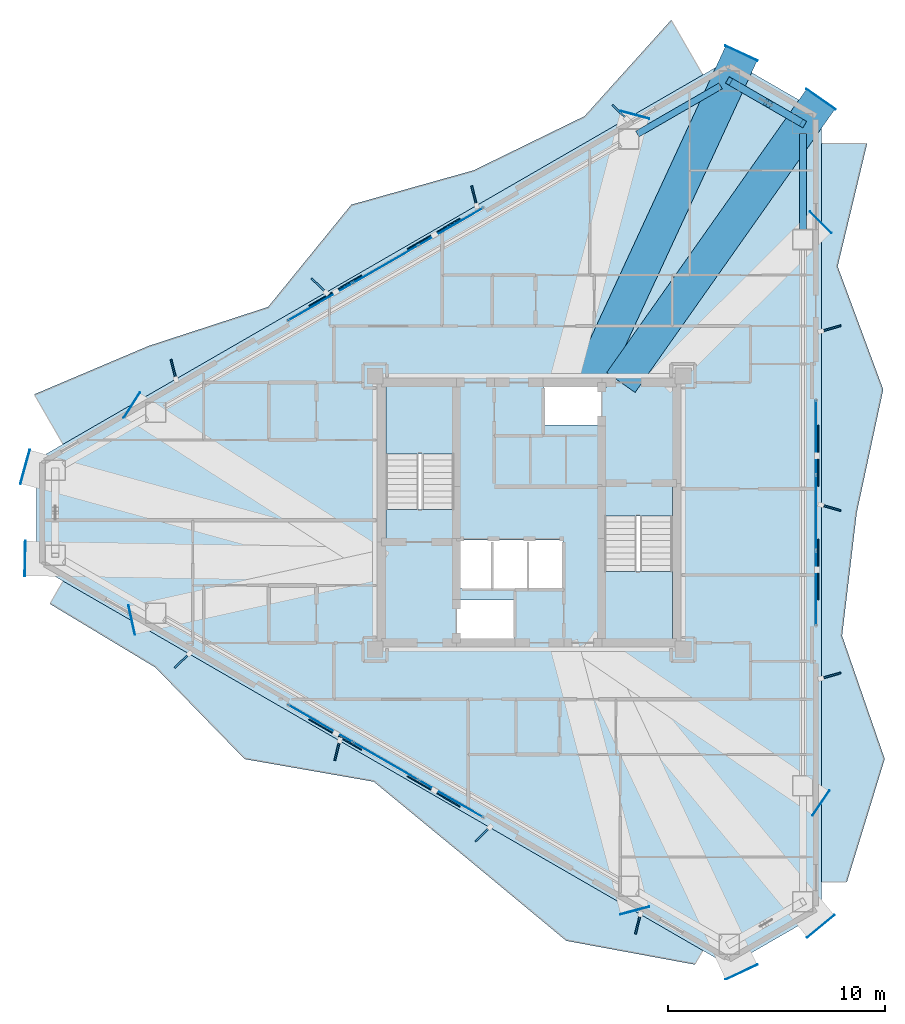
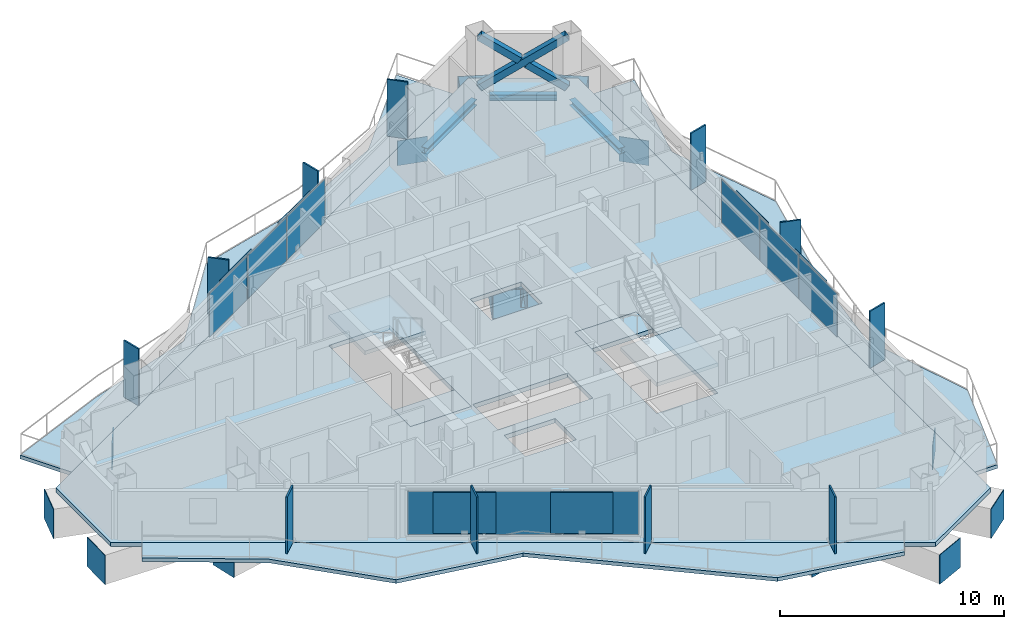
# One storey, part 13 of 21: 38 plates, 8 slabs, 5 beams, 3 members, 5 elements without a shape of their own.
"""IFC4 building model written with IfcOpenShell, lengths in metres."""

from ifc_helpers import new_model, si_unit, direction, frame, origin, origin_2d, place, context, subcontext, project, spatial, polyline, rectangle, hollow_rectangle, i_section, outline, extrude, material, layer, layer_set, material_profile, profile_set, type_object, element, aggregate, save


model = new_model("IFC4")

# Units and contexts
model_context = context("Model", 3, precision=1e-05, world=origin(), true_north=direction((0.0, 1.0)))
body_context = subcontext(model_context, "Body", "Model", "MODEL_VIEW")
ifc_project = project(units=[si_unit("LENGTHUNIT", "METRE"), si_unit("AREAUNIT", "SQUARE_METRE"), si_unit("VOLUMEUNIT", "CUBIC_METRE"), si_unit("PLANEANGLEUNIT", "RADIAN"), si_unit("MASSUNIT", "GRAM", prefix="KILO")], contexts=[model_context])

# Site, building, storey
site_placement = place(None, origin())
site = spatial("IfcSite", under=ifc_project, at=site_placement, CompositionType="ELEMENT")
building_placement = place(site_placement, origin())
building = spatial("IfcBuilding", under=site, at=building_placement, Name="Mersakhor Tower and Convention Hall", CompositionType="ELEMENT")
storey_placement = place(building_placement, frame((0.0, 0.0, 121.199951171875)))
storey = spatial("IfcBuildingStorey", under=building, at=storey_placement, Name="L33", CompositionType="ELEMENT", Elevation=121.199951171875)

# Beams
ifc_material_1 = material(Name="Steel S355", Category="steel")
ifc_material_profile_1 = material_profile(ifc_material_1, i_section(OverallWidth=0.30908203125, OverallDepth=0.320556640625, WebThickness=0.013916015625, FlangeThickness=0.021728515625, at=origin_2d()), Name="UC 305x305x137")
ifc_profile_set_1 = profile_set([ifc_material_profile_1], Name="Steel S355")
beam_type_1 = type_object("IfcBeamType", Name="BM-SPD-UC305", PredefinedType="SPANDREL", material=ifc_profile_set_1)
beam_1_placement = place(storey_placement, frame((33.986572265625, 44.200439453125, -0.400146484375), z_axis=(0.866038875684, 0.49997666526, 0.0), x_axis=(-0.49997666526, 0.866038875684, 0.0)))
element("IfcBeam", 1, at=beam_1_placement, inside=storey, type_object=beam_type_1, Name="L33 Perimeter Spandrel Beam SPB-03", PredefinedType="SPANDREL", context=body_context, shape_type="SweptSolid", body=[
    extrude(i_section(OverallWidth=0.30908203125, OverallDepth=0.320556640625, WebThickness=0.013916015625, FlangeThickness=0.021728515625, at=origin_2d()), origin(), (0.0, 0.0, 1.0), 4.433837890625),
])
beam_2_placement = place(storey_placement, frame((38.614501953125, 46.417236328125, -0.400146484375), z_axis=(0.86604667077, -0.499963162692, 0.0), x_axis=(0.499963162692, 0.86604667077, 0.0)))
element("IfcBeam", 2, at=beam_2_placement, inside=storey, type_object=beam_type_1, Name="L33 Perimeter Spandrel Beam SPB-04", PredefinedType="SPANDREL", context=body_context, shape_type="SweptSolid", body=[
    extrude(i_section(OverallWidth=0.30908203125, OverallDepth=0.320556640625, WebThickness=0.013916015625, FlangeThickness=0.021728515625, at=origin_2d()), origin(), (0.0, 0.0, 1.0), 3.014404296875),
])
beam_3_placement = place(storey_placement, frame((41.619140625, 44.2275390625, -0.400146484375), z_axis=(0.0, -1.0, 0.0), x_axis=(1.0, 0.0, 0.0)))
element("IfcBeam", 3, at=beam_3_placement, inside=storey, type_object=beam_type_1, Name="L33 Perimeter Spandrel Beam SPB-05", PredefinedType="SPANDREL", context=body_context, shape_type="SweptSolid", body=[
    extrude(i_section(OverallWidth=0.30908203125, OverallDepth=0.320556640625, WebThickness=0.013916015625, FlangeThickness=0.021728515625, at=origin_2d()), origin(), (0.0, 0.0, 1.0), 4.433837890625),
])
ifc_material_2 = material(Name="Steel S460", Category="steel")
ifc_material_profile_2 = material_profile(ifc_material_2, hollow_rectangle(XDim=1.60009765625, YDim=1.60009765625, WallThickness=0.0400390625, at=origin_2d()), Name="SHS 1600x1600x40")
ifc_profile_set_2 = profile_set([ifc_material_profile_2], Name="Steel S460")
beam_type_2 = type_object("IfcBeamType", Name="BM-TR-BOX1600", PredefinedType="BEAM", material=ifc_profile_set_2)
beam_4_placement = place(storey_placement, frame((38.77880859375, 47.90869140625, -1.0400390625), z_axis=(-0.41952909182, -0.907741891243, 0.0), x_axis=(0.907741891243, -0.41952909182, 0.0)))
element("IfcBeam", 4, at=beam_4_placement, inside=storey, type_object=beam_type_2, Name="L33 Taper Step Transfer Girder STG-04", PredefinedType="BEAM", context=body_context, shape_type="SweptSolid", body=[
    extrude(hollow_rectangle(XDim=1.60009765625, YDim=1.60009765625, WallThickness=0.0400390625, at=origin_2d()), origin(), (0.0, 0.0, 1.0), 16.699462890625),
])
beam_5_placement = place(storey_placement, frame((42.4345703125, 45.798095703125, -1.0400390625), z_axis=(-0.57636799081, -0.817190271093, 0.0), x_axis=(0.817190271093, -0.57636799081, 0.0)))
element("IfcBeam", 5, at=beam_5_placement, inside=storey, type_object=beam_type_2, Name="L33 Taper Step Transfer Girder STG-05", PredefinedType="BEAM", context=body_context, shape_type="SweptSolid", body=[
    extrude(hollow_rectangle(XDim=1.60009765625, YDim=1.60009765625, WallThickness=0.0400390625, at=origin_2d()), origin(), (0.0, 0.0, 1.0), 15.967041015625),
])

# Members
ifc_material_3 = material(Name="Steel S460", Category="steel")
ifc_material_profile_3 = material_profile(ifc_material_3, hollow_rectangle(XDim=0.35009765625, YDim=0.35009765625, WallThickness=0.02001953125, at=origin_2d()), Name="SHS 350x350x20")
ifc_profile_set_3 = profile_set([ifc_material_profile_3], Name="Steel S460")
member_type = type_object("IfcMemberType", Name="MB-BRC-SHS350", PredefinedType="BRACE", material=ifc_profile_set_3)
member_placement = place(storey_placement, frame((38.220458984375, 46.644775390625, 0.150146484375), z_axis=(0.70838533923, -0.408971551713, 0.575267312693), x_axis=(0.499986324622, 0.866033299124, 0.0)))
element("IfcMember", 6, at=member_placement, inside=storey, type_object=member_type, Name="L33 Chamfer Braced Frame Diagonal CB-1A", PredefinedType="BRACE", context=body_context, shape_type="SweptSolid", body=[
    extrude(hollow_rectangle(XDim=0.35009765625, YDim=0.35009765625, WallThickness=0.02001953125, at=origin_2d()), origin(), (0.0, 0.0, 1.0), 4.7978515625),
])
for number, where, z_axis, x_axis, name in (
    (7, (41.619140625, 44.6826171875, 0.150146484375), (-0.708409139881, 0.409012716899, 0.575208734242), (-0.500011469263, -0.866018781901, 0.0), "L33 Chamfer Braced Frame Diagonal CB-1B Lower Half"),
    (8, (39.782470703125, 45.742919921875, 1.6416015625), (-0.708364021879, 0.408986667212, 0.575282816143), (-0.500011469263, -0.866018781901, 0.0), "L33 Chamfer Braced Frame Diagonal CB-1B Upper Half"),
):
    element("IfcMember", number, at=place(storey_placement, frame(where, z_axis=z_axis, x_axis=x_axis)), inside=storey, type_object=member_type, Name=name, PredefinedType="BRACE", context=body_context, shape_type="SweptSolid", body=[
        extrude(hollow_rectangle(XDim=0.35009765625, YDim=0.35009765625, WallThickness=0.02001953125, at=origin_2d()), origin(), (0.0, 0.0, 1.0), 2.205078125),
    ])

# Curtain wall, plates
ifc_material_4 = material(Name="Dark solar low-E aluminium curtain wall", Category="aluminium")
ifc_layer_1 = layer(ifc_material_4, 0.169921875)
ifc_layer_set_1 = layer_set([ifc_layer_1], Name="Dark solar low-E aluminium curtain wall")
curtain_wall_type = type_object("IfcCurtainWallType", Name="CW-SYS-02", PredefinedType="USERDEFINED", material=ifc_layer_set_1)
curtain_wall_1_placement = place(storey_placement, origin())
curtain_wall_1 = element("IfcCurtainWall", 9, at=curtain_wall_1_placement, inside=storey, type_object=curtain_wall_type, Name="L33 Dark-Glass Curtain Wall F1-B2", ObjectType="CURTAIN WALL", PredefinedType="USERDEFINED")
ifc_material_5 = material(Name="Dark solar double glazing", Category="glass")
ifc_layer_2 = layer(ifc_material_5, 0.028076171875)
ifc_layer_set_2 = layer_set([ifc_layer_2], Name="Dark solar double glazing")
plate_type_1 = type_object("IfcPlateType", Name="CWP-GLZ-28", PredefinedType="CURTAIN_PANEL", material=ifc_layer_set_2)
plate_1_placement = place(storey_placement, frame((19.379638671875, 36.4599609375, 0.259765625), z_axis=(0.0, 0.0, 1.0), x_axis=(0.866030906807, 0.499990468363, 0.0)))
plate_1 = element("IfcPlate", 10, at=plate_1_placement, type_object=plate_type_1, Name="CW-02 panel 1.1", PredefinedType="CURTAIN_PANEL", context=body_context, shape_type="SweptSolid", body=[
    extrude(rectangle(XDim=3.3828125, YDim=0.028076171875, at=origin_2d()), origin(), (0.0, 0.0, 1.0), 2.360107421875),
])
plate_2_placement = place(storey_placement, frame((22.390380859375, 38.1982421875, 0.259765625), z_axis=(0.0, 0.0, 1.0), x_axis=(0.866030906807, 0.499990468363, 0.0)))
plate_2 = element("IfcPlate", 11, at=plate_2_placement, type_object=plate_type_1, Name="CW-02 panel 2.1", PredefinedType="CURTAIN_PANEL", context=body_context, shape_type="SweptSolid", body=[
    extrude(rectangle(XDim=3.42041015625, YDim=0.028076171875, at=origin_2d()), origin(), (0.0, 0.0, 1.0), 2.360107421875),
])
plate_3_placement = place(storey_placement, frame((25.401123046875, 39.9365234375, 0.259765625), z_axis=(0.0, 0.0, 1.0), x_axis=(0.866030906807, 0.499990468363, 0.0)))
plate_3 = element("IfcPlate", 12, at=plate_3_placement, type_object=plate_type_1, Name="CW-02 panel 3.1", PredefinedType="CURTAIN_PANEL", context=body_context, shape_type="SweptSolid", body=[
    extrude(rectangle(XDim=3.3828125, YDim=0.028076171875, at=origin_2d()), origin(), (0.0, 0.0, 1.0), 2.360107421875),
])
aggregate(curtain_wall_1, [plate_1, plate_2, plate_3])

curtain_wall_2_placement = place(storey_placement, origin())
curtain_wall_2 = element("IfcCurtainWall", 13, at=curtain_wall_2_placement, inside=storey, type_object=curtain_wall_type, Name="L33 Dark-Glass Curtain Wall F2-B2", ObjectType="CURTAIN WALL", PredefinedType="USERDEFINED")
plate_4_placement = place(storey_placement, frame((42.21923828125, 30.2265625, 0.259765625), z_axis=(0.0, 0.0, 1.0), x_axis=(0.0, -1.0, 0.0)))
plate_4 = element("IfcPlate", 14, at=plate_4_placement, type_object=plate_type_1, Name="CW-02 panel 1.1", PredefinedType="CURTAIN_PANEL", context=body_context, shape_type="SweptSolid", body=[
    extrude(rectangle(XDim=3.3828125, YDim=0.028076171875, at=origin_2d()), origin(), (0.0, 0.0, 1.0), 2.360107421875),
])
plate_5_placement = place(storey_placement, frame((42.21923828125, 26.75, 0.259765625), z_axis=(0.0, 0.0, 1.0), x_axis=(0.0, -1.0, 0.0)))
plate_5 = element("IfcPlate", 15, at=plate_5_placement, type_object=plate_type_1, Name="CW-02 panel 2.1", PredefinedType="CURTAIN_PANEL", context=body_context, shape_type="SweptSolid", body=[
    extrude(rectangle(XDim=3.42041015625, YDim=0.028076171875, at=origin_2d()), origin(), (0.0, 0.0, 1.0), 2.360107421875),
])
plate_6_placement = place(storey_placement, frame((42.21923828125, 23.2734375, 0.259765625), z_axis=(0.0, 0.0, 1.0), x_axis=(0.0, -1.0, 0.0)))
plate_6 = element("IfcPlate", 16, at=plate_6_placement, type_object=plate_type_1, Name="CW-02 panel 3.1", PredefinedType="CURTAIN_PANEL", context=body_context, shape_type="SweptSolid", body=[
    extrude(rectangle(XDim=3.3828125, YDim=0.028076171875, at=origin_2d()), origin(), (0.0, 0.0, 1.0), 2.360107421875),
])
aggregate(curtain_wall_2, [plate_4, plate_5, plate_6])

curtain_wall_3_placement = place(storey_placement, origin())
curtain_wall_3 = element("IfcCurtainWall", 17, at=curtain_wall_3_placement, inside=storey, type_object=curtain_wall_type, Name="L33 Dark-Glass Curtain Wall F3-B2", ObjectType="CURTAIN WALL", PredefinedType="USERDEFINED")
plate_7_placement = place(storey_placement, frame((25.401123046875, 13.5634765625, 0.259765625), z_axis=(0.0, 0.0, 1.0), x_axis=(-0.866030906807, 0.499990468363, 0.0)))
plate_7 = element("IfcPlate", 18, at=plate_7_placement, type_object=plate_type_1, Name="CW-02 panel 1.1", PredefinedType="CURTAIN_PANEL", context=body_context, shape_type="SweptSolid", body=[
    extrude(rectangle(XDim=3.3828125, YDim=0.028076171875, at=origin_2d()), origin(), (0.0, 0.0, 1.0), 2.360107421875),
])
plate_8_placement = place(storey_placement, frame((22.390380859375, 15.3017578125, 0.259765625), z_axis=(0.0, 0.0, 1.0), x_axis=(-0.866030906807, 0.499990468363, 0.0)))
plate_8 = element("IfcPlate", 19, at=plate_8_placement, type_object=plate_type_1, Name="CW-02 panel 2.1", PredefinedType="CURTAIN_PANEL", context=body_context, shape_type="SweptSolid", body=[
    extrude(rectangle(XDim=3.42041015625, YDim=0.028076171875, at=origin_2d()), origin(), (0.0, 0.0, 1.0), 2.360107421875),
])
plate_9_placement = place(storey_placement, frame((19.379638671875, 17.0400390625, 0.259765625), z_axis=(0.0, 0.0, 1.0), x_axis=(-0.866030906807, 0.499990468363, 0.0)))
plate_9 = element("IfcPlate", 20, at=plate_9_placement, type_object=plate_type_1, Name="CW-02 panel 3.1", PredefinedType="CURTAIN_PANEL", context=body_context, shape_type="SweptSolid", body=[
    extrude(rectangle(XDim=3.3828125, YDim=0.028076171875, at=origin_2d()), origin(), (0.0, 0.0, 1.0), 2.360107421875),
])
aggregate(curtain_wall_3, [plate_7, plate_8, plate_9])

# Plates
ifc_material_6 = material(Name="Steel S355", Category="steel")
ifc_layer_3 = layer(ifc_material_6, 0.031982421875)
ifc_layer_set_3 = layer_set([ifc_layer_3], Name="Steel S355")
plate_type_2 = type_object("IfcPlateType", Name="PL-CAP-32", PredefinedType="SHEET", material=ifc_layer_set_3)
plate_10_placement = place(storey_placement, frame((5.771240234375, 28.864990234375, -1.840087890625), z_axis=(0.0, 0.0, 1.0), x_axis=(0.96423431693, -0.265051281935, 0.0)))
element("IfcPlate", 21, at=plate_10_placement, inside=storey, type_object=plate_type_2, Name="L33 Step Transfer End Cap Plate SCEP-01", PredefinedType="SHEET", context=body_context, shape_type="SweptSolid", body=[
    extrude(rectangle(XDim=0.031982421875, YDim=1.639892578125, at=origin_2d()), origin(), (0.0, 0.0, 1.0), 1.60009765625),
])
for number, where, z_axis, x_axis, name in (
    (22, (10.68896484375, 31.70751953125, -1.590087890625), (0.0, 0.0, 1.0), (0.842546417417, -0.53862374112, 0.0), "L33 Step Transfer End Cap Plate SCEP-02"),
    (23, (33.866943359375, 45.086181640625, -1.590087890625), (0.0, 0.0, 1.0), (-0.256626764599, -0.966510581262, 0.0), "L33 Step Transfer End Cap Plate SCEP-03"),
):
    element("IfcPlate", number, at=place(storey_placement, frame(where, z_axis=z_axis, x_axis=x_axis)), inside=storey, type_object=plate_type_2, Name=name, PredefinedType="SHEET", context=body_context, shape_type="SweptSolid", body=[
        extrude(rectangle(XDim=0.031982421875, YDim=1.389892578125, at=origin_2d()), origin(), (0.0, 0.0, 1.0), 1.35009765625),
    ])
for number, where, z_axis, x_axis, name in (
    (24, (38.785400390625, 47.923095703125, -1.840087890625), (0.0, 0.0, 1.0), (-0.419452082446, -0.907777478533, 0.0), "L33 Step Transfer End Cap Plate SCEP-04"),
    (25, (42.44384765625, 45.81103515625, -1.840087890625), (0.0, 0.0, 1.0), (-0.57643231617, -0.817144898335, 0.0), "L33 Step Transfer End Cap Plate SCEP-05"),
):
    element("IfcPlate", number, at=place(storey_placement, frame(where, z_axis=z_axis, x_axis=x_axis)), inside=storey, type_object=plate_type_2, Name=name, PredefinedType="SHEET", context=body_context, shape_type="SweptSolid", body=[
        extrude(rectangle(XDim=0.031982421875, YDim=1.639892578125, at=origin_2d()), origin(), (0.0, 0.0, 1.0), 1.60009765625),
    ])
for number, where, z_axis, x_axis, name in (
    (26, (42.44580078125, 40.133056640625, -1.590087890625), (0.0, 0.0, 1.0), (-0.7087093341, -0.705500588065, 0.0), "L33 Step Transfer End Cap Plate SCEP-06"),
    (27, (42.44775390625, 13.369384765625, -1.590087890625), (0.0, 0.0, 1.0), (-0.825606210755, 0.56424674103, 0.0), "L33 Step Transfer End Cap Plate SCEP-07"),
):
    element("IfcPlate", number, at=place(storey_placement, frame(where, z_axis=z_axis, x_axis=x_axis)), inside=storey, type_object=plate_type_2, Name=name, PredefinedType="SHEET", context=body_context, shape_type="SweptSolid", body=[
        extrude(rectangle(XDim=0.031982421875, YDim=1.389892578125, at=origin_2d()), origin(), (0.0, 0.0, 1.0), 1.35009765625),
    ])
for number, where, z_axis, x_axis, name in (
    (28, (42.44482421875, 7.689697265625, -1.840087890625), (0.0, 0.0, 1.0), (-0.6370204626, 0.770846891561, 0.0), "L33 Step Transfer End Cap Plate SCEP-08"),
    (29, (38.785400390625, 5.576904296875, -1.840087890625), (0.0, 0.0, 1.0), (-0.425621362969, 0.90490135119, 0.0), "L33 Step Transfer End Cap Plate SCEP-09"),
):
    element("IfcPlate", number, at=place(storey_placement, frame(where, z_axis=z_axis, x_axis=x_axis)), inside=storey, type_object=plate_type_2, Name=name, PredefinedType="SHEET", context=body_context, shape_type="SweptSolid", body=[
        extrude(rectangle(XDim=0.031982421875, YDim=1.639892578125, at=origin_2d()), origin(), (0.0, 0.0, 1.0), 1.60009765625),
    ])
for number, where, z_axis, x_axis, name in (
    (30, (33.866943359375, 8.413818359375, -1.590087890625), (0.0, 0.0, 1.0), (-0.256626764599, 0.966510581262, 0.0), "L33 Step Transfer End Cap Plate SCEP-10"),
    (31, (10.68701171875, 21.797607421875, -1.590087890625), (0.0, 0.0, 1.0), (0.97629600712, 0.216439613938, 0.0), "L33 Step Transfer End Cap Plate SCEP-11"),
):
    element("IfcPlate", number, at=place(storey_placement, frame(where, z_axis=z_axis, x_axis=x_axis)), inside=storey, type_object=plate_type_2, Name=name, PredefinedType="SHEET", context=body_context, shape_type="SweptSolid", body=[
        extrude(rectangle(XDim=0.031982421875, YDim=1.389892578125, at=origin_2d()), origin(), (0.0, 0.0, 1.0), 1.35009765625),
    ])
plate_11_placement = place(storey_placement, frame((5.770751953125, 24.639404296875, -1.840087890625), z_axis=(0.0, 0.0, 1.0), x_axis=(0.999844633908, -0.017626912514, 0.0)))
element("IfcPlate", 32, at=plate_11_placement, inside=storey, type_object=plate_type_2, Name="L33 Step Transfer End Cap Plate SCEP-12", PredefinedType="SHEET", context=body_context, shape_type="SweptSolid", body=[
    extrude(rectangle(XDim=0.031982421875, YDim=1.639892578125, at=origin_2d()), origin(), (0.0, 0.0, 1.0), 1.60009765625),
])
ifc_material_7 = material(Name="Ceramic-clad aluminium Zone 3 ochre-bronze", Category="aluminium")
ifc_material_8 = material(Name="Ceramic-clad aluminium Zone 1 cobalt-slate", Category="masonry")
ifc_layer_4 = layer(ifc_material_8, 0.080078125)
ifc_layer_set_4 = layer_set([ifc_layer_4], Name="Ceramic-clad aluminium Zone 1 cobalt-slate")
plate_type_3 = type_object("IfcPlateType", Name="PL-FIN-80", PredefinedType="USERDEFINED", material=ifc_layer_set_4)
for number, where, z_axis, x_axis, name in (
    (33, (12.614013671875, 33.3466796875, 0.0), (0.0, 0.0, 1.0), (-0.2419218956, 0.970295726276, 0.0), "L33 Zone 3 Coloured Brise-Soleil Fin F1-1"),
    (34, (19.3154296875, 37.215576171875, 0.0), (0.0, 0.0, 1.0), (-0.719339800339, 0.694658370459, 0.0), "L33 Zone 3 Coloured Brise-Soleil Fin F1-2"),
    (35, (26.470458984375, 41.346435546875, 0.0), (0.0, 0.0, 1.0), (-0.2419218956, 0.970295726276, 0.0), "L33 Zone 3 Coloured Brise-Soleil Fin F1-3"),
    (36, (33.171875, 45.215576171875, 0.0), (0.0, 0.0, 1.0), (-0.719339800339, 0.694658370459, 0.0), "L33 Zone 3 Coloured Brise-Soleil Fin F1-4"),
    (37, (42.90576171875, 35.237548828125, 0.0), (0.0, 0.0, 1.0), (0.961261695938, 0.275637355817, 0.0), "L33 Zone 3 Coloured Brise-Soleil Fin F2-1"),
    (38, (42.90576171875, 26.9755859375, 0.0), (0.0, 0.0, 1.0), (0.961261695938, -0.275637355817, 0.0), "L33 Zone 3 Coloured Brise-Soleil Fin F2-2"),
    (39, (42.90576171875, 19.237548828125, 0.0), (0.0, 0.0, 1.0), (0.961261695938, 0.275637355817, 0.0), "L33 Zone 3 Coloured Brise-Soleil Fin F2-3"),
    (40, (34.016357421875, 7.796875, 0.0), (0.0, 0.0, 1.0), (-0.2419218956, -0.970295726276, 0.0), "L33 Zone 3 Coloured Brise-Soleil Fin F3-1"),
    (41, (26.861328125, 11.927734375, 0.0), (0.0, 0.0, 1.0), (-0.719339800339, -0.694658370459, 0.0), "L33 Zone 3 Coloured Brise-Soleil Fin F3-2"),
    (42, (20.159912109375, 15.796875, 0.0), (0.0, 0.0, 1.0), (-0.2419218956, -0.970295726276, 0.0), "L33 Zone 3 Coloured Brise-Soleil Fin F3-3"),
    (43, (13.0048828125, 19.927734375, 0.0), (0.0, 0.0, 1.0), (-0.719339800339, -0.694658370459, 0.0), "L33 Zone 3 Coloured Brise-Soleil Fin F3-4"),
):
    element("IfcPlate", number, at=place(storey_placement, frame(where, z_axis=z_axis, x_axis=x_axis)), inside=storey, type_object=plate_type_3, material=ifc_material_7, Name=name, ObjectType="FIN", PredefinedType="USERDEFINED", context=body_context, shape_type="SweptSolid", body=[
        extrude(rectangle(XDim=0.949951171875, YDim=0.080078125, at=origin_2d()), origin(), (0.0, 0.0, 1.0), 3.10009765625),
    ])
ifc_material_9 = material(Name="Perforated ceramic cobogo solar screen", Category="aluminium")
ifc_layer_5 = layer(ifc_material_9, 0.055908203125)
ifc_layer_set_5 = layer_set([ifc_layer_5], Name="Perforated ceramic cobogo solar screen")
plate_type_4 = type_object("IfcPlateType", Name="PL-SCR-56", PredefinedType="USERDEFINED", material=ifc_layer_set_5)
for number, where, z_axis, x_axis, name in (
    (44, (20.071044921875, 36.972412109375, 0.400146484375), (0.0, 0.0, 1.0), (0.866025403784, 0.5, 0.0), "L33 Perforated Ceramic Solar Screen F1-1"),
    (45, (24.61181640625, 39.59375, 0.400146484375), (0.0, 0.0, 1.0), (0.866025403784, 0.5, 0.0), "L33 Perforated Ceramic Solar Screen F1-2"),
    (46, (42.317138671875, 29.37158203125, 0.400146484375), (0.0, 0.0, 1.0), (0.0, -1.0, 0.0), "L33 Perforated Ceramic Solar Screen F2-1"),
    (47, (42.317138671875, 24.12841796875, 0.400146484375), (0.0, 0.0, 1.0), (0.0, -1.0, 0.0), "L33 Perforated Ceramic Solar Screen F2-2"),
    (48, (24.61181640625, 13.90625, 0.400146484375), (0.0, 0.0, 1.0), (-0.866025403784, 0.5, 0.0), "L33 Perforated Ceramic Solar Screen F3-1"),
    (49, (20.071044921875, 16.52783203125, 0.400146484375), (0.0, 0.0, 1.0), (-0.866025403784, 0.5, 0.0), "L33 Perforated Ceramic Solar Screen F3-2"),
):
    element("IfcPlate", number, at=place(storey_placement, frame(where, z_axis=z_axis, x_axis=x_axis)), inside=storey, type_object=plate_type_4, Name=name, ObjectType="SCREEN", PredefinedType="USERDEFINED", context=body_context, shape_type="SweptSolid", body=[
        extrude(rectangle(XDim=2.800048828125, YDim=0.055908203125, at=origin_2d()), origin(), (0.0, 0.0, 1.0), 2.22998046875),
    ])

# Slabs
ifc_material_10 = material(Name="Concrete C45/55", Category="concrete")
ifc_layer_6 = layer(ifc_material_10, 0.199951171875)
ifc_layer_set_6 = layer_set([ifc_layer_6], Name="Concrete C45/55")
slab_type_1 = type_object("IfcSlabType", Name="SL-BAL-200", PredefinedType="FLOOR", material=ifc_layer_set_6)
slab_1_placement = place(storey_placement, frame((0.0, 0.0, -0.199951171875)))
element("IfcSlab", 50, at=slab_1_placement, inside=storey, type_object=slab_type_1, Name="L33 Sinusoidal Balcony Slab Face 1", PredefinedType="FLOOR", context=body_context, shape_type="SweptSolid", body=[
    extrude(outline(polyline([(7.522705078125, 29.903076171875), (37.008056640625, 46.92626953125), (35.548095703125, 49.455078125), (31.5546875, 45.022705078125), (26.443359375, 42.527099609375), (20.805419921875, 40.943359375), (16.973388671875, 36.23193359375), (11.459716796875, 34.4326171875), (6.19482421875, 32.202880859375), (7.522705078125, 29.903076171875)])), origin(), (0.0, 0.0, 1.0), 0.199951171875),
])
slab_2_placement = place(storey_placement, frame((0.0, 0.0, -0.199951171875)))
element("IfcSlab", 51, at=slab_2_placement, inside=storey, type_object=slab_type_1, Name="L33 Sinusoidal Balcony Slab Face 2", PredefinedType="FLOOR", context=body_context, shape_type="SweptSolid", body=[
    extrude(outline(polyline([(42.46923828125, 43.773193359375), (42.46923828125, 9.726806640625), (43.64501953125, 9.726806640625), (45.38916015625, 15.401123046875), (43.424072265625, 21.07568359375), (44.100341796875, 26.75), (45.32080078125, 32.42431640625), (43.21923828125, 38.098876953125), (44.58251953125, 43.773193359375), (42.46923828125, 43.773193359375)])), origin(), (0.0, 0.0, 1.0), 0.199951171875),
])
slab_3_placement = place(storey_placement, frame((0.0, 0.0, -0.199951171875)))
element("IfcSlab", 52, at=slab_3_placement, inside=storey, type_object=slab_type_1, Name="L33 Sinusoidal Balcony Slab Face 3", PredefinedType="FLOOR", context=body_context, shape_type="SweptSolid", body=[
    extrude(outline(polyline([(37.008056640625, 6.57373046875), (7.522705078125, 23.596923828125), (6.91552734375, 22.54541015625), (11.777099609375, 19.61669921875), (15.89111328125, 15.393798828125), (21.842041015625, 14.35205078125), (26.283203125, 10.69580078125), (30.712646484375, 7.018798828125), (36.633056640625, 5.92431640625), (37.008056640625, 6.57373046875)])), origin(), (0.0, 0.0, 1.0), 0.199951171875),
])
ifc_material_11 = material(Name="Concrete C40/50", Category="concrete")
ifc_layer_7 = layer(ifc_material_11, 0.239990234375)
ifc_layer_set_7 = layer_set([ifc_layer_7], Name="Concrete C40/50")
slab_type_2 = type_object("IfcSlabType", Name="SL-FLR-240", PredefinedType="FLOOR", material=ifc_layer_set_7)
slab_4_placement = place(storey_placement, frame((0.0, 0.0, -0.239990234375)))
element("IfcSlab", 53, at=slab_4_placement, inside=storey, type_object=slab_type_2, Name="L33 ST-1 Structural Stair Floor Landing", PredefinedType="LANDING", context=body_context, shape_type="SweptSolid", body=[
    extrude(outline(polyline([(25.550048828125, 25.39990234375), (25.550048828125, 26.89990234375), (22.39990234375, 26.89990234375), (22.39990234375, 25.39990234375), (25.550048828125, 25.39990234375)])), origin(), (0.0, 0.0, 1.0), 0.239990234375),
])
slab_5_placement = place(storey_placement, frame((0.0, 0.0, -0.239990234375)))
element("IfcSlab", 54, at=slab_5_placement, inside=storey, type_object=slab_type_2, Name="L33 ST-2 Structural Stair Floor Landing", PredefinedType="LANDING", context=body_context, shape_type="SweptSolid", body=[
    extrude(outline(polyline([(32.449951171875, 28.10009765625), (32.449951171875, 26.60009765625), (35.60009765625, 26.60009765625), (35.60009765625, 28.10009765625), (32.449951171875, 28.10009765625)])), origin(), (0.0, 0.0, 1.0), 0.239990234375),
])
slab_6_placement = place(storey_placement, frame((0.0, 0.0, -0.239990234375)))
element("IfcSlab", 55, at=slab_6_placement, inside=storey, type_object=slab_type_2, Name="Tower L33 Structural Floor Slab", PredefinedType="FLOOR", context=body_context, shape_type="SweptSolid", body=[
    extrude(outline(polyline([(6.310302734375, 29.202880859375), (38.220458984375, 47.626220703125), (42.46923828125, 45.17333984375), (42.46923828125, 8.32666015625), (38.220458984375, 5.873779296875), (6.310302734375, 24.297119140625), (6.310302734375, 29.202880859375)]), holes=[polyline([(25.550048828125, 25.39990234375), (25.550048828125, 32.699951171875), (22.39990234375, 32.699951171875), (22.39990234375, 25.39990234375), (25.550048828125, 25.39990234375)]), polyline([(32.449951171875, 28.10009765625), (32.449951171875, 20.800048828125), (35.60009765625, 20.800048828125), (35.60009765625, 28.10009765625), (32.449951171875, 28.10009765625)]), polyline([(25.679931640625, 20.820068359375), (25.679931640625, 22.719970703125), (28.320068359375, 22.719970703125), (28.320068359375, 20.820068359375), (25.679931640625, 20.820068359375)]), polyline([(29.679931640625, 30.780029296875), (29.679931640625, 32.679931640625), (32.320068359375, 32.679931640625), (32.320068359375, 30.780029296875), (29.679931640625, 30.780029296875)]), polyline([(25.679931640625, 23.25), (25.679931640625, 25.5), (30.570068359375, 25.5), (30.570068359375, 23.25), (25.679931640625, 23.25)])]), origin(), (0.0, 0.0, 1.0), 0.239990234375),
])

# Stair, slab
ifc_material_12 = material(Name="Concrete C45/55", Category="concrete")
stair_type = type_object("IfcStairType", Name="ST-TWR-20R", PredefinedType="HALF_TURN_STAIR", material=ifc_material_12)
stair_1_placement = place(storey_placement, origin())
stair_1 = element("IfcStair", 56, at=stair_1_placement, inside=storey, type_object=stair_type, Name="L33 Tower Protected Exit Stair ST-1", PredefinedType="HALF_TURN_STAIR")
ifc_material_13 = material(Name="Concrete C45/55", Category="concrete")
ifc_layer_8 = layer(ifc_material_13, 0.199951171875)
ifc_layer_set_8 = layer_set([ifc_layer_8], Name="Concrete C45/55")
slab_type_3 = type_object("IfcSlabType", Name="SL-LAND-200", PredefinedType="LANDING", material=ifc_layer_set_8)
slab_7_placement = place(storey_placement, frame((0.0, 0.0, 1.449951171875)))
slab_7 = element("IfcSlab", 57, at=slab_7_placement, type_object=slab_type_3, Name="ST-1 landing 1", PredefinedType="LANDING", context=body_context, shape_type="SweptSolid", body=[
    extrude(outline(polyline([(25.550048828125, 29.465087890625), (25.550048828125, 32.699951171875), (22.39990234375, 32.699951171875), (22.39990234375, 29.465087890625), (25.550048828125, 29.465087890625)])), origin(), (0.0, 0.0, 1.0), 0.2001953125),
])
aggregate(stair_1, [slab_7])

stair_2_placement = place(storey_placement, origin())
stair_2 = element("IfcStair", 58, at=stair_2_placement, inside=storey, type_object=stair_type, Name="L33 Tower Protected Exit Stair ST-2", PredefinedType="HALF_TURN_STAIR")
slab_8_placement = place(storey_placement, frame((0.0, 0.0, 1.449951171875)))
slab_8 = element("IfcSlab", 59, at=slab_8_placement, type_object=slab_type_3, Name="ST-2 landing 1", PredefinedType="LANDING", context=body_context, shape_type="SweptSolid", body=[
    extrude(outline(polyline([(32.449951171875, 24.034912109375), (32.449951171875, 20.800048828125), (35.60009765625, 20.800048828125), (35.60009765625, 24.034912109375), (32.449951171875, 24.034912109375)])), origin(), (0.0, 0.0, 1.0), 0.2001953125),
])
aggregate(stair_2, [slab_8])

save(model, "model.ifc")
